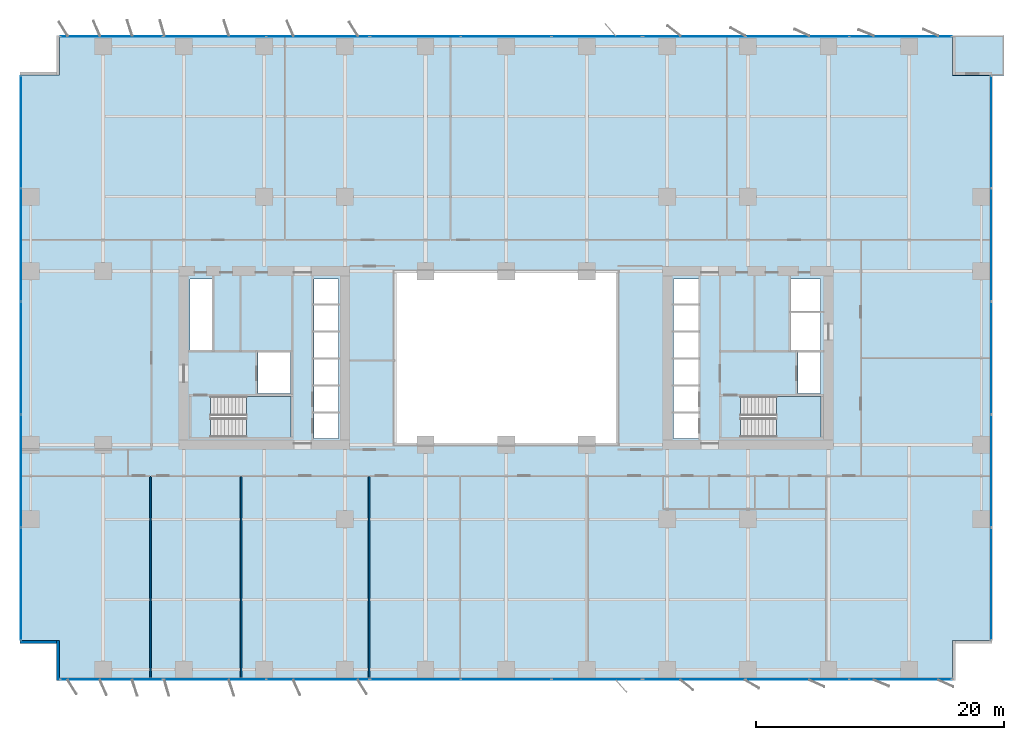
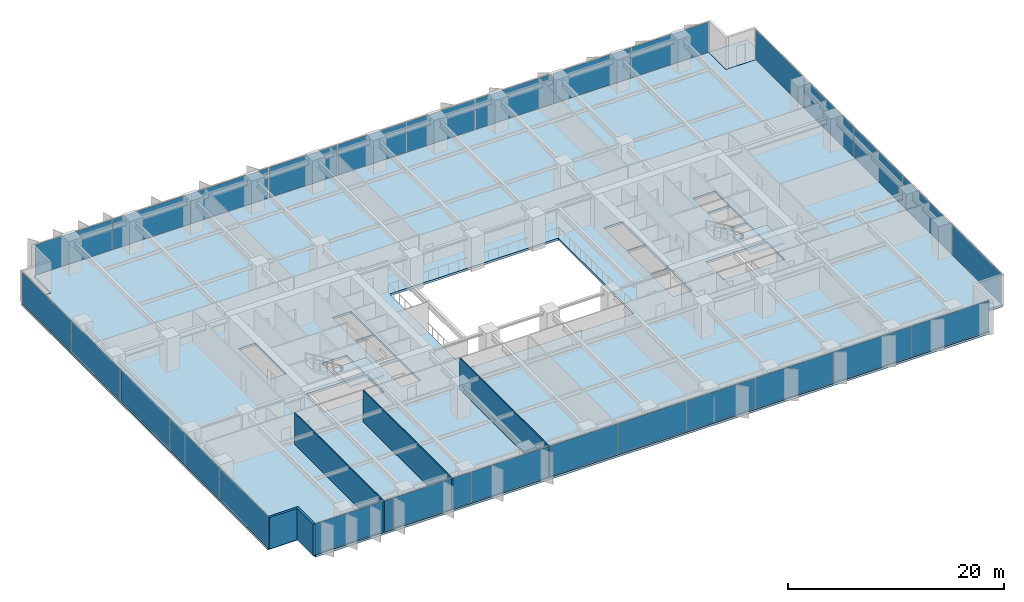
# One storey, part 12 of 20: 28 plates, 5 walls, 4 slabs, 10 elements without a shape of their own.
"""IFC4 building model written with IfcOpenShell, lengths in metres."""

from ifc_helpers import new_model, si_unit, direction, frame, frame_2d, origin, origin_2d, place, context, subcontext, project, spatial, polyline, rectangle, outline, extrude, material, layer, layer_set, type_object, element, aggregate, save


model = new_model("IFC4")

# Units and contexts
model_context = context("Model", 3, precision=1e-05, world=origin(), true_north=direction((0.0, 1.0)))
body_context = subcontext(model_context, "Body", "Model", "MODEL_VIEW")
ifc_project = project(units=[si_unit("LENGTHUNIT", "METRE"), si_unit("AREAUNIT", "SQUARE_METRE"), si_unit("VOLUMEUNIT", "CUBIC_METRE"), si_unit("PLANEANGLEUNIT", "RADIAN"), si_unit("MASSUNIT", "GRAM", prefix="KILO")], contexts=[model_context])

# Site, building, storey
site_placement = place(None, origin())
site = spatial("IfcSite", under=ifc_project, at=site_placement, CompositionType="ELEMENT")
building_placement = place(site_placement, origin())
building = spatial("IfcBuilding", under=site, at=building_placement, Name="Putna Gate Headquarters", CompositionType="ELEMENT")
storey_placement = place(building_placement, frame((0.0, 0.0, 69.60009765625)))
storey = spatial("IfcBuildingStorey", under=building, at=storey_placement, Name="L16", CompositionType="ELEMENT", Elevation=69.60009765625)

# Stair, slab
ifc_material_1 = material(Name="Concrete C40/50", Category="concrete")
stair_type_1 = type_object("IfcStairType", Name="STAIR-ST1", PredefinedType="HALF_TURN_STAIR", material=ifc_material_1)
stair_1_placement = place(storey_placement, origin())
stair_1 = element("IfcStair", 1, at=stair_1_placement, inside=storey, type_object=stair_type_1, Name="L16 West Core Exit Stair ST1", PredefinedType="HALF_TURN_STAIR")
ifc_layer_1 = layer(ifc_material_1, 0.199951171875)
ifc_layer_set_1 = layer_set([ifc_layer_1], Name="Concrete C40/50")
slab_type_1 = type_object("IfcSlabType", Name="LANDING-ST1", PredefinedType="LANDING", material=ifc_layer_set_1)
slab_1_placement = place(storey_placement, frame((0.0, 0.0, 1.699951171875)))
slab_1 = element("IfcSlab", 2, at=slab_1_placement, type_object=slab_type_1, Name="ST1 landing 1", PredefinedType="LANDING", context=body_context, shape_type="SweptSolid", body=[
    extrude(outline(polyline([(18.050048828125, 19.60009765625), (21.64990234375, 19.60009765625), (21.64990234375, 22.89990234375), (18.050048828125, 22.89990234375), (18.050048828125, 19.60009765625)])), origin(), (0.0, 0.0, 1.0), 0.199951171875),
])
aggregate(stair_1, [slab_1])

stair_type_2 = type_object("IfcStairType", Name="STAIR-ST2", PredefinedType="HALF_TURN_STAIR", material=ifc_material_1)
stair_2_placement = place(storey_placement, origin())
stair_2 = element("IfcStair", 3, at=stair_2_placement, inside=storey, type_object=stair_type_2, Name="L16 East Core Exit Stair ST2", PredefinedType="HALF_TURN_STAIR")
ifc_layer_2 = layer(ifc_material_1, 0.199951171875)
ifc_layer_set_2 = layer_set([ifc_layer_2], Name="Concrete C40/50")
slab_type_2 = type_object("IfcSlabType", Name="LANDING-ST2", PredefinedType="LANDING", material=ifc_layer_set_2)
slab_2_placement = place(storey_placement, frame((0.0, 0.0, 1.699951171875)))
slab_2 = element("IfcSlab", 4, at=slab_2_placement, type_object=slab_type_2, Name="ST2 landing 1", PredefinedType="LANDING", context=body_context, shape_type="SweptSolid", body=[
    extrude(outline(polyline([(60.800048828125, 19.60009765625), (64.39990234375, 19.60009765625), (64.39990234375, 22.89990234375), (60.800048828125, 22.89990234375), (60.800048828125, 19.60009765625)])), origin(), (0.0, 0.0, 1.0), 0.199951171875),
])
aggregate(stair_2, [slab_2])

# Curtain wall, plates
ifc_material_2 = material(Name="Anodised bronze aluminium curtain wall", Category="aluminium")
ifc_layer_3 = layer(ifc_material_2, 0.179931640625)
ifc_layer_set_3 = layer_set([ifc_layer_3], Name="Anodised bronze aluminium curtain wall")
curtain_wall_type_1 = type_object("IfcCurtainWallType", Name="CW-SYS-Z1", PredefinedType="USERDEFINED", material=ifc_layer_set_3)
curtain_wall_1_placement = place(storey_placement, origin())
curtain_wall_1 = element("IfcCurtainWall", 5, at=curtain_wall_1_placement, inside=storey, type_object=curtain_wall_type_1, Name="L16 South West Curtain Wall", ObjectType="STICK CURTAIN WALL", PredefinedType="USERDEFINED")
ifc_material_3 = material(Name="Solar-control triple low-E glass", Category="glass")
ifc_layer_4 = layer(ifc_material_3, 0.031982421875)
ifc_layer_set_4 = layer_set([ifc_layer_4], Name="Solar-control triple low-E glass")
plate_type_1 = type_object("IfcPlateType", Name="PAN-CWP-1", PredefinedType="CURTAIN_PANEL", material=ifc_layer_set_4)
plate_1_placement = place(storey_placement, frame((7.18408203125, 0.080078125, 0.06494140625), z_axis=(0.0, 0.0, 1.0), x_axis=(1.0, 0.0, 0.0)))
plate_1 = element("IfcPlate", 6, at=plate_1_placement, type_object=plate_type_1, Name="CWS-1 panel 1.1", PredefinedType="CURTAIN_PANEL", context=body_context, shape_type="SweptSolid", body=[
    extrude(rectangle(XDim=8.228271484375, YDim=0.031982421875, at=origin_2d()), origin(), (0.0, 0.0, 1.0), 3.419921875),
])
plate_2_placement = place(storey_placement, frame((15.5, 0.080078125, 0.06494140625), z_axis=(0.0, 0.0, 1.0), x_axis=(1.0, 0.0, 0.0)))
plate_2 = element("IfcPlate", 7, at=plate_2_placement, type_object=plate_type_1, Name="CWS-1 panel 2.1", PredefinedType="CURTAIN_PANEL", context=body_context, shape_type="SweptSolid", body=[
    extrude(rectangle(XDim=8.263427734375, YDim=0.031982421875, at=origin_2d()), origin(), (0.0, 0.0, 1.0), 3.419921875),
])
plate_3_placement = place(storey_placement, frame((23.81591796875, 0.080078125, 0.06494140625), z_axis=(0.0, 0.0, 1.0), x_axis=(1.0, 0.0, 0.0)))
plate_3 = element("IfcPlate", 8, at=plate_3_placement, type_object=plate_type_1, Name="CWS-1 panel 3.1", PredefinedType="CURTAIN_PANEL", context=body_context, shape_type="SweptSolid", body=[
    extrude(rectangle(XDim=8.228271484375, YDim=0.031982421875, at=origin_2d()), origin(), (0.0, 0.0, 1.0), 3.419921875),
])
aggregate(curtain_wall_1, [plate_1, plate_2, plate_3])

curtain_wall_2_placement = place(storey_placement, origin())
curtain_wall_2 = element("IfcCurtainWall", 9, at=curtain_wall_2_placement, inside=storey, type_object=curtain_wall_type_1, Name="L16 South East Curtain Wall", ObjectType="STICK CURTAIN WALL", PredefinedType="USERDEFINED")
plate_4_placement = place(storey_placement, frame((54.18408203125, 0.080078125, 0.06494140625), z_axis=(0.0, 0.0, 1.0), x_axis=(1.0, 0.0, 0.0)))
plate_4 = element("IfcPlate", 10, at=plate_4_placement, type_object=plate_type_1, Name="CWS-1 panel 1.1", PredefinedType="CURTAIN_PANEL", context=body_context, shape_type="SweptSolid", body=[
    extrude(rectangle(XDim=8.228271484375, YDim=0.031982421875, at=origin_2d()), origin(), (0.0, 0.0, 1.0), 3.419921875),
])
plate_5_placement = place(storey_placement, frame((62.5, 0.080078125, 0.06494140625), z_axis=(0.0, 0.0, 1.0), x_axis=(1.0, 0.0, 0.0)))
plate_5 = element("IfcPlate", 11, at=plate_5_placement, type_object=plate_type_1, Name="CWS-1 panel 2.1", PredefinedType="CURTAIN_PANEL", context=body_context, shape_type="SweptSolid", body=[
    extrude(rectangle(XDim=8.263427734375, YDim=0.031982421875, at=origin_2d()), origin(), (0.0, 0.0, 1.0), 3.419921875),
])
plate_6_placement = place(storey_placement, frame((70.81591796875, 0.080078125, 0.06494140625), z_axis=(0.0, 0.0, 1.0), x_axis=(1.0, 0.0, 0.0)))
plate_6 = element("IfcPlate", 12, at=plate_6_placement, type_object=plate_type_1, Name="CWS-1 panel 3.1", PredefinedType="CURTAIN_PANEL", context=body_context, shape_type="SweptSolid", body=[
    extrude(rectangle(XDim=8.228271484375, YDim=0.031982421875, at=origin_2d()), origin(), (0.0, 0.0, 1.0), 3.419921875),
])
aggregate(curtain_wall_2, [plate_4, plate_5, plate_6])

curtain_wall_3_placement = place(storey_placement, origin())
curtain_wall_3 = element("IfcCurtainWall", 13, at=curtain_wall_3_placement, inside=storey, type_object=curtain_wall_type_1, Name="L16 North West Curtain Wall", ObjectType="STICK CURTAIN WALL", PredefinedType="USERDEFINED")
plate_7_placement = place(storey_placement, frame((7.18408203125, 51.919921875, 0.06494140625), z_axis=(0.0, 0.0, 1.0), x_axis=(1.0, 0.0, 0.0)))
plate_7 = element("IfcPlate", 14, at=plate_7_placement, type_object=plate_type_1, Name="CWS-1 panel 1.1", PredefinedType="CURTAIN_PANEL", context=body_context, shape_type="SweptSolid", body=[
    extrude(rectangle(XDim=8.228271484375, YDim=0.031982421875, at=origin_2d()), origin(), (0.0, 0.0, 1.0), 3.419921875),
])
plate_8_placement = place(storey_placement, frame((15.5, 51.919921875, 0.06494140625), z_axis=(0.0, 0.0, 1.0), x_axis=(1.0, 0.0, 0.0)))
plate_8 = element("IfcPlate", 15, at=plate_8_placement, type_object=plate_type_1, Name="CWS-1 panel 2.1", PredefinedType="CURTAIN_PANEL", context=body_context, shape_type="SweptSolid", body=[
    extrude(rectangle(XDim=8.263427734375, YDim=0.031982421875, at=origin_2d()), origin(), (0.0, 0.0, 1.0), 3.419921875),
])
plate_9_placement = place(storey_placement, frame((23.81591796875, 51.919921875, 0.06494140625), z_axis=(0.0, 0.0, 1.0), x_axis=(1.0, 0.0, 0.0)))
plate_9 = element("IfcPlate", 16, at=plate_9_placement, type_object=plate_type_1, Name="CWS-1 panel 3.1", PredefinedType="CURTAIN_PANEL", context=body_context, shape_type="SweptSolid", body=[
    extrude(rectangle(XDim=8.228271484375, YDim=0.031982421875, at=origin_2d()), origin(), (0.0, 0.0, 1.0), 3.419921875),
])
aggregate(curtain_wall_3, [plate_7, plate_8, plate_9])

curtain_wall_4_placement = place(storey_placement, origin())
curtain_wall_4 = element("IfcCurtainWall", 17, at=curtain_wall_4_placement, inside=storey, type_object=curtain_wall_type_1, Name="L16 North East Curtain Wall", ObjectType="STICK CURTAIN WALL", PredefinedType="USERDEFINED")
plate_10_placement = place(storey_placement, frame((54.18408203125, 51.919921875, 0.06494140625), z_axis=(0.0, 0.0, 1.0), x_axis=(1.0, 0.0, 0.0)))
plate_10 = element("IfcPlate", 18, at=plate_10_placement, type_object=plate_type_1, Name="CWS-1 panel 1.1", PredefinedType="CURTAIN_PANEL", context=body_context, shape_type="SweptSolid", body=[
    extrude(rectangle(XDim=8.228271484375, YDim=0.031982421875, at=origin_2d()), origin(), (0.0, 0.0, 1.0), 3.419921875),
])
plate_11_placement = place(storey_placement, frame((62.5, 51.919921875, 0.06494140625), z_axis=(0.0, 0.0, 1.0), x_axis=(1.0, 0.0, 0.0)))
plate_11 = element("IfcPlate", 19, at=plate_11_placement, type_object=plate_type_1, Name="CWS-1 panel 2.1", PredefinedType="CURTAIN_PANEL", context=body_context, shape_type="SweptSolid", body=[
    extrude(rectangle(XDim=8.263427734375, YDim=0.031982421875, at=origin_2d()), origin(), (0.0, 0.0, 1.0), 3.419921875),
])
plate_12_placement = place(storey_placement, frame((70.81591796875, 51.919921875, 0.06494140625), z_axis=(0.0, 0.0, 1.0), x_axis=(1.0, 0.0, 0.0)))
plate_12 = element("IfcPlate", 20, at=plate_12_placement, type_object=plate_type_1, Name="CWS-1 panel 3.1", PredefinedType="CURTAIN_PANEL", context=body_context, shape_type="SweptSolid", body=[
    extrude(rectangle(XDim=8.228271484375, YDim=0.031982421875, at=origin_2d()), origin(), (0.0, 0.0, 1.0), 3.419921875),
])
aggregate(curtain_wall_4, [plate_10, plate_11, plate_12])

curtain_wall_5_placement = place(storey_placement, origin())
curtain_wall_5 = element("IfcCurtainWall", 21, at=curtain_wall_5_placement, inside=storey, type_object=curtain_wall_type_1, Name="L16 West Curtain Wall", ObjectType="STICK CURTAIN WALL", PredefinedType="USERDEFINED")
plate_13_placement = place(storey_placement, frame((-0.1201171875, 7.777587890625, 0.06494140625), z_axis=(0.0, 0.0, 1.0), x_axis=(0.0, 1.0, 0.0)))
plate_13 = element("IfcPlate", 22, at=plate_13_placement, type_object=plate_type_1, Name="CWS-1 panel 1.1", PredefinedType="CURTAIN_PANEL", context=body_context, shape_type="SweptSolid", body=[
    extrude(rectangle(XDim=9.014892578125, YDim=0.031982421875, at=origin_2d()), origin(), (0.0, 0.0, 1.0), 3.419921875),
])
plate_14_placement = place(storey_placement, frame((-0.1201171875, 16.8798828125, 0.06494140625), z_axis=(0.0, 0.0, 1.0), x_axis=(0.0, 1.0, 0.0)))
plate_14 = element("IfcPlate", 23, at=plate_14_placement, type_object=plate_type_1, Name="CWS-1 panel 2.1", PredefinedType="CURTAIN_PANEL", context=body_context, shape_type="SweptSolid", body=[
    extrude(rectangle(XDim=9.050048828125, YDim=0.031982421875, at=origin_2d()), origin(), (0.0, 0.0, 1.0), 3.419921875),
])
plate_15_placement = place(storey_placement, frame((-0.1201171875, 26.0, 0.06494140625), z_axis=(0.0, 0.0, 1.0), x_axis=(0.0, 1.0, 0.0)))
plate_15 = element("IfcPlate", 24, at=plate_15_placement, type_object=plate_type_1, Name="CWS-1 panel 3.1", PredefinedType="CURTAIN_PANEL", context=body_context, shape_type="SweptSolid", body=[
    extrude(rectangle(XDim=9.050048828125, YDim=0.031982421875, at=origin_2d()), origin(), (0.0, 0.0, 1.0), 3.419921875),
])
plate_16_placement = place(storey_placement, frame((-0.1201171875, 35.1201171875, 0.06494140625), z_axis=(0.0, 0.0, 1.0), x_axis=(0.0, 1.0, 0.0)))
plate_16 = element("IfcPlate", 25, at=plate_16_placement, type_object=plate_type_1, Name="CWS-1 panel 4.1", PredefinedType="CURTAIN_PANEL", context=body_context, shape_type="SweptSolid", body=[
    extrude(rectangle(XDim=9.050048828125, YDim=0.031982421875, at=origin_2d()), origin(), (0.0, 0.0, 1.0), 3.419921875),
])
plate_17_placement = place(storey_placement, frame((-0.1201171875, 44.222412109375, 0.06494140625), z_axis=(0.0, 0.0, 1.0), x_axis=(0.0, 1.0, 0.0)))
plate_17 = element("IfcPlate", 26, at=plate_17_placement, type_object=plate_type_1, Name="CWS-1 panel 5.1", PredefinedType="CURTAIN_PANEL", context=body_context, shape_type="SweptSolid", body=[
    extrude(rectangle(XDim=9.014892578125, YDim=0.031982421875, at=origin_2d()), origin(), (0.0, 0.0, 1.0), 3.419921875),
])
aggregate(curtain_wall_5, [plate_13, plate_14, plate_15, plate_16, plate_17])

curtain_wall_6_placement = place(storey_placement, origin())
curtain_wall_6 = element("IfcCurtainWall", 27, at=curtain_wall_6_placement, inside=storey, type_object=curtain_wall_type_1, Name="L16 East Curtain Wall", ObjectType="STICK CURTAIN WALL", PredefinedType="USERDEFINED")
plate_18_placement = place(storey_placement, frame((78.1201171875, 7.777587890625, 0.06494140625), z_axis=(0.0, 0.0, 1.0), x_axis=(0.0, 1.0, 0.0)))
plate_18 = element("IfcPlate", 28, at=plate_18_placement, type_object=plate_type_1, Name="CWS-1 panel 1.1", PredefinedType="CURTAIN_PANEL", context=body_context, shape_type="SweptSolid", body=[
    extrude(rectangle(XDim=9.014892578125, YDim=0.031982421875, at=origin_2d()), origin(), (0.0, 0.0, 1.0), 3.419921875),
])
plate_19_placement = place(storey_placement, frame((78.1201171875, 16.8798828125, 0.06494140625), z_axis=(0.0, 0.0, 1.0), x_axis=(0.0, 1.0, 0.0)))
plate_19 = element("IfcPlate", 29, at=plate_19_placement, type_object=plate_type_1, Name="CWS-1 panel 2.1", PredefinedType="CURTAIN_PANEL", context=body_context, shape_type="SweptSolid", body=[
    extrude(rectangle(XDim=9.050048828125, YDim=0.031982421875, at=origin_2d()), origin(), (0.0, 0.0, 1.0), 3.419921875),
])
plate_20_placement = place(storey_placement, frame((78.1201171875, 26.0, 0.06494140625), z_axis=(0.0, 0.0, 1.0), x_axis=(0.0, 1.0, 0.0)))
plate_20 = element("IfcPlate", 30, at=plate_20_placement, type_object=plate_type_1, Name="CWS-1 panel 3.1", PredefinedType="CURTAIN_PANEL", context=body_context, shape_type="SweptSolid", body=[
    extrude(rectangle(XDim=9.050048828125, YDim=0.031982421875, at=origin_2d()), origin(), (0.0, 0.0, 1.0), 3.419921875),
])
plate_21_placement = place(storey_placement, frame((78.1201171875, 35.1201171875, 0.06494140625), z_axis=(0.0, 0.0, 1.0), x_axis=(0.0, 1.0, 0.0)))
plate_21 = element("IfcPlate", 31, at=plate_21_placement, type_object=plate_type_1, Name="CWS-1 panel 4.1", PredefinedType="CURTAIN_PANEL", context=body_context, shape_type="SweptSolid", body=[
    extrude(rectangle(XDim=9.050048828125, YDim=0.031982421875, at=origin_2d()), origin(), (0.0, 0.0, 1.0), 3.419921875),
])
plate_22_placement = place(storey_placement, frame((78.1201171875, 44.222412109375, 0.06494140625), z_axis=(0.0, 0.0, 1.0), x_axis=(0.0, 1.0, 0.0)))
plate_22 = element("IfcPlate", 32, at=plate_22_placement, type_object=plate_type_1, Name="CWS-1 panel 5.1", PredefinedType="CURTAIN_PANEL", context=body_context, shape_type="SweptSolid", body=[
    extrude(rectangle(XDim=9.014892578125, YDim=0.031982421875, at=origin_2d()), origin(), (0.0, 0.0, 1.0), 3.419921875),
])
aggregate(curtain_wall_6, [plate_18, plate_19, plate_20, plate_21, plate_22])

ifc_layer_5 = layer(ifc_material_2, 0.179931640625)
ifc_layer_set_5 = layer_set([ifc_layer_5], Name="Anodised bronze aluminium curtain wall")
curtain_wall_type_2 = type_object("IfcCurtainWallType", Name="CW-SYS-ATR", PredefinedType="USERDEFINED", material=ifc_layer_set_5)
curtain_wall_7_placement = place(storey_placement, origin())
curtain_wall_7 = element("IfcCurtainWall", 33, at=curtain_wall_7_placement, inside=storey, type_object=curtain_wall_type_2, Name="L16 South Atrium Clear Glazing", ObjectType="ATRIUM GLAZING", PredefinedType="USERDEFINED")
ifc_material_4 = material(Name="Clear low-iron triple glazing", Category="glass")
ifc_layer_6 = layer(ifc_material_4, 0.0400390625)
ifc_layer_set_6 = layer_set([ifc_layer_6], Name="Clear low-iron triple glazing")
plate_type_2 = type_object("IfcPlateType", Name="PAN-CWP-AT", PredefinedType="CURTAIN_PANEL", material=ifc_layer_set_6)
plate_23_placement = place(storey_placement, frame((31.68408203125, 0.080078125, 0.06982421875), z_axis=(0.0, 0.0, 1.0), x_axis=(1.0, 0.0, 0.0)))
plate_23 = element("IfcPlate", 34, at=plate_23_placement, type_object=plate_type_2, Name="CWS-AT panel 1.1", PredefinedType="CURTAIN_PANEL", context=body_context, shape_type="SweptSolid", body=[
    extrude(rectangle(XDim=7.228271484375, YDim=0.0400390625, at=origin_2d()), origin(), (0.0, 0.0, 1.0), 3.409912109375),
])
plate_24_placement = place(storey_placement, frame((39.0, 0.080078125, 0.06982421875), z_axis=(0.0, 0.0, 1.0), x_axis=(1.0, 0.0, 0.0)))
plate_24 = element("IfcPlate", 35, at=plate_24_placement, type_object=plate_type_2, Name="CWS-AT panel 2.1", PredefinedType="CURTAIN_PANEL", context=body_context, shape_type="SweptSolid", body=[
    extrude(rectangle(XDim=7.263427734375, YDim=0.0400390625, at=origin_2d()), origin(), (0.0, 0.0, 1.0), 3.409912109375),
])
plate_25_placement = place(storey_placement, frame((46.31591796875, 0.080078125, 0.06982421875), z_axis=(0.0, 0.0, 1.0), x_axis=(1.0, 0.0, 0.0)))
plate_25 = element("IfcPlate", 36, at=plate_25_placement, type_object=plate_type_2, Name="CWS-AT panel 3.1", PredefinedType="CURTAIN_PANEL", context=body_context, shape_type="SweptSolid", body=[
    extrude(rectangle(XDim=7.228271484375, YDim=0.0400390625, at=origin_2d()), origin(), (0.0, 0.0, 1.0), 3.409912109375),
])
aggregate(curtain_wall_7, [plate_23, plate_24, plate_25])

curtain_wall_8_placement = place(storey_placement, origin())
curtain_wall_8 = element("IfcCurtainWall", 37, at=curtain_wall_8_placement, inside=storey, type_object=curtain_wall_type_2, Name="L16 North Atrium Clear Glazing", ObjectType="ATRIUM GLAZING", PredefinedType="USERDEFINED")
plate_26_placement = place(storey_placement, frame((31.68408203125, 51.919921875, 0.06982421875), z_axis=(0.0, 0.0, 1.0), x_axis=(1.0, 0.0, 0.0)))
plate_26 = element("IfcPlate", 38, at=plate_26_placement, type_object=plate_type_2, Name="CWS-AT panel 1.1", PredefinedType="CURTAIN_PANEL", context=body_context, shape_type="SweptSolid", body=[
    extrude(rectangle(XDim=7.228271484375, YDim=0.0400390625, at=origin_2d()), origin(), (0.0, 0.0, 1.0), 3.409912109375),
])
plate_27_placement = place(storey_placement, frame((39.0, 51.919921875, 0.06982421875), z_axis=(0.0, 0.0, 1.0), x_axis=(1.0, 0.0, 0.0)))
plate_27 = element("IfcPlate", 39, at=plate_27_placement, type_object=plate_type_2, Name="CWS-AT panel 2.1", PredefinedType="CURTAIN_PANEL", context=body_context, shape_type="SweptSolid", body=[
    extrude(rectangle(XDim=7.263427734375, YDim=0.0400390625, at=origin_2d()), origin(), (0.0, 0.0, 1.0), 3.409912109375),
])
plate_28_placement = place(storey_placement, frame((46.31591796875, 51.919921875, 0.06982421875), z_axis=(0.0, 0.0, 1.0), x_axis=(1.0, 0.0, 0.0)))
plate_28 = element("IfcPlate", 40, at=plate_28_placement, type_object=plate_type_2, Name="CWS-AT panel 3.1", PredefinedType="CURTAIN_PANEL", context=body_context, shape_type="SweptSolid", body=[
    extrude(rectangle(XDim=7.228271484375, YDim=0.0400390625, at=origin_2d()), origin(), (0.0, 0.0, 1.0), 3.409912109375),
])
aggregate(curtain_wall_8, [plate_26, plate_27, plate_28])

# Slabs
ifc_layer_7 = layer(ifc_material_1, 0.179931640625)
ifc_layer_set_7 = layer_set([ifc_layer_7], Name="Concrete C40/50")
slab_type_3 = type_object("IfcSlabType", Name="SLAB-TERRACE-180", PredefinedType="FLOOR", material=ifc_layer_set_7)
slab_3_placement = place(storey_placement, frame((0.0, 0.0, -0.18017578125)))
element("IfcSlab", 41, at=slab_3_placement, inside=storey, type_object=slab_type_3, Name="L16 Spiral Sky-Garden Terrace Slab (NE)", PredefinedType="FLOOR", context=body_context, shape_type="SweptSolid", body=[
    extrude(outline(polyline([(74.991943359375, 48.7919921875), (79.14990234375, 48.7919921875), (79.14990234375, 52.0), (74.991943359375, 52.0), (74.991943359375, 48.7919921875)])), origin(), (0.0, 0.0, 1.0), 0.18017578125),
])
ifc_layer_8 = layer(ifc_material_1, 0.25)
ifc_layer_set_8 = layer_set([ifc_layer_8], Name="Concrete C40/50")
slab_type_4 = type_object("IfcSlabType", Name="SLAB-Z1-250", PredefinedType="FLOOR", material=ifc_layer_set_8)
slab_4_placement = place(storey_placement, frame((0.0, 0.0, -0.25)))
element("IfcSlab", 42, at=slab_4_placement, inside=storey, type_object=slab_type_4, Name="L16 Composite Floor Slab", PredefinedType="FLOOR", context=body_context, shape_type="SweptSolid", body=[
    extrude(outline(polyline([(3.0, 0.0), (75.0, 0.0), (75.0, 3.199951171875), (78.199951171875, 3.199951171875), (78.199951171875, 48.800048828125), (75.0, 48.800048828125), (75.0, 52.0), (3.0, 52.0), (3.0, 48.800048828125), (-0.199951171875, 48.800048828125), (-0.199951171875, 3.199951171875), (3.0, 3.199951171875), (3.0, 0.0)]), holes=[polyline([(15.1650390625, 19.60009765625), (21.64990234375, 19.60009765625), (21.64990234375, 22.89990234375), (15.1650390625, 22.89990234375), (15.1650390625, 19.60009765625)]), polyline([(57.9150390625, 19.60009765625), (64.39990234375, 19.60009765625), (64.39990234375, 22.89990234375), (57.9150390625, 22.89990234375), (57.9150390625, 19.60009765625)]), polyline([(13.52001953125, 26.659912109375), (15.280029296875, 26.659912109375), (15.280029296875, 32.35009765625), (13.52001953125, 32.35009765625), (13.52001953125, 26.659912109375)]), polyline([(61.969970703125, 29.780029296875), (64.35009765625, 29.780029296875), (64.35009765625, 32.35009765625), (61.969970703125, 32.35009765625), (61.969970703125, 29.780029296875)]), polyline([(18.97998046875, 23.1201171875), (21.6201171875, 23.1201171875), (21.6201171875, 26.4599609375), (18.97998046875, 26.4599609375), (18.97998046875, 23.1201171875)]), polyline([(62.52001953125, 23.1201171875), (64.35009765625, 23.1201171875), (64.35009765625, 26.4599609375), (62.52001953125, 26.4599609375), (62.52001953125, 23.1201171875)]), polyline([(61.969970703125, 26.659912109375), (64.35009765625, 26.659912109375), (64.35009765625, 29.6201171875), (61.969970703125, 29.6201171875), (61.969970703125, 26.659912109375)]), polyline([(23.5, 19.52001953125), (25.5, 19.52001953125), (25.5, 23.699951171875), (23.5, 23.699951171875), (23.5, 19.52001953125)]), polyline([(52.47998046875, 19.52001953125), (54.5, 19.52001953125), (54.5, 23.699951171875), (52.47998046875, 23.699951171875), (52.47998046875, 19.52001953125)]), polyline([(23.5, 23.860107421875), (25.5, 23.860107421875), (25.5, 28.0400390625), (23.5, 28.0400390625), (23.5, 23.860107421875)]), polyline([(52.47998046875, 23.860107421875), (54.5, 23.860107421875), (54.5, 28.0400390625), (52.47998046875, 28.0400390625), (52.47998046875, 23.860107421875)]), polyline([(23.5, 28.199951171875), (25.5, 28.199951171875), (25.5, 32.35009765625), (23.5, 32.35009765625), (23.5, 28.199951171875)]), polyline([(52.47998046875, 28.199951171875), (54.5, 28.199951171875), (54.5, 32.35009765625), (52.47998046875, 32.35009765625), (52.47998046875, 28.199951171875)]), polyline([(30.0, 19.0), (48.0, 19.0), (48.0, 33.0), (30.0, 33.0), (30.0, 19.0)])]), origin(), (0.0, 0.0, 1.0), 0.25),
])

# Walls
ifc_material_5 = material(Name="Precast concrete C40/50", Category="concrete")
ifc_layer_9 = layer(ifc_material_5, 0.239990234375)
ifc_layer_set_9 = layer_set([ifc_layer_9], Name="Precast concrete C40/50")
wall_type_1 = type_object("IfcWallType", Name="WALL-EXT-TERR-240", PredefinedType="STANDARD", material=ifc_layer_set_9)
for number, where, z_axis, x_axis, name in (
    (43, (2.8798828125, 0.0, 0.0), (0.0, 0.0, 1.0), (0.0, 1.0, 0.0), "L16 Corner Notch Return Wall SW-V"),
    (44, (3.0, 3.080078125, 0.0), (0.0, 0.0, 1.0), (-1.0, 0.0, 0.0), "L16 Corner Notch Return Wall SW-H"),
):
    element("IfcWall", number, at=place(storey_placement, frame(where, z_axis=z_axis, x_axis=x_axis)), inside=storey, type_object=wall_type_1, Name=name, PredefinedType="STANDARD", context=body_context, shape_type="SweptSolid", body=[
        extrude(rectangle(XDim=3.199951171875, YDim=0.239990234375, at=frame_2d((1.60009765625, 0.0))), origin(), (0.0, 0.0, 1.0), 3.5498046875),
    ])
ifc_material_6 = material(Name="Acoustic gypsum board on metal stud")
ifc_layer_10 = layer(ifc_material_6, 0.1201171875)
ifc_layer_set_10 = layer_set([ifc_layer_10], Name="Acoustic gypsum board on metal stud")
wall_type_2 = type_object("IfcWallType", Name="WALL-PART-120", PredefinedType="PARTITIONING", material=ifc_layer_set_10)
for number, where, z_axis, x_axis, name in (
    (45, (10.30908203125, 0.02001953125, 0.0), (0.0, 0.0, 1.0), (0.0, 1.0, 0.0), "L16 Interior Wall PART-L16-SB-DIV-01"),
    (46, (17.62548828125, 0.02001953125, 0.0), (0.0, 0.0, 1.0), (0.0, 1.0, 0.0), "L16 Interior Wall PART-L16-SB-DIV-02"),
    (47, (27.95458984375, 0.02001953125, 0.0), (0.0, 0.0, 1.0), (0.0, 1.0, 0.0), "L16 Interior Wall PART-L16-SB-DIV-03"),
):
    element("IfcWall", number, at=place(storey_placement, frame(where, z_axis=z_axis, x_axis=x_axis)), inside=storey, type_object=wall_type_2, Name=name, PredefinedType="PARTITIONING", context=body_context, shape_type="SweptSolid", body=[
        extrude(rectangle(XDim=16.419921875, YDim=0.1201171875, at=frame_2d((8.2099609375, 0.0))), origin(), (0.0, 0.0, 1.0), 3.5498046875),
    ])

save(model, "model.ifc")
